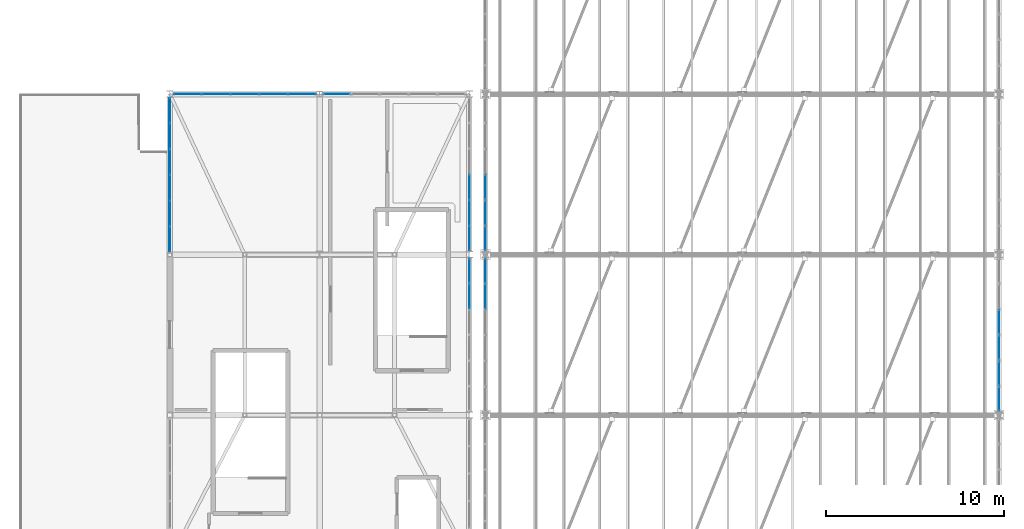
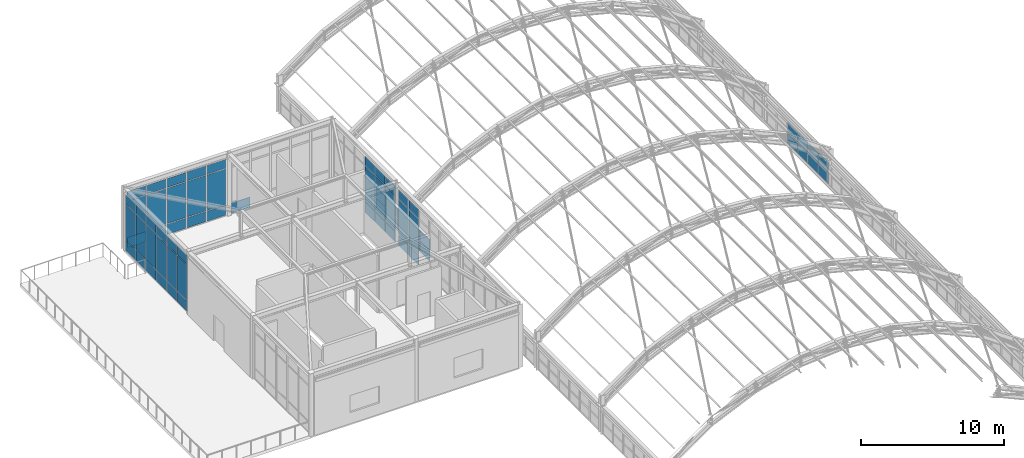
# One storey, part 101 of 121: 67 plates, 8 elements without a shape of their own.
"""IFC4 building model written with IfcOpenShell, lengths in metres."""

from ifc_helpers import new_model, si_unit, direction, frame, origin, origin_2d, place, context, subcontext, project, spatial, rectangle, extrude, material, layer, layer_set, type_object, element, aggregate, save


model = new_model("IFC4")

# Units and contexts
model_context = context("Model", 3, precision=1e-05, world=origin(), true_north=direction((0.0, 1.0)))
body_context = subcontext(model_context, "Body", "Model", "MODEL_VIEW")
ifc_project = project(units=[si_unit("LENGTHUNIT", "METRE"), si_unit("AREAUNIT", "SQUARE_METRE"), si_unit("VOLUMEUNIT", "CUBIC_METRE"), si_unit("PLANEANGLEUNIT", "RADIAN"), si_unit("MASSUNIT", "GRAM", prefix="KILO")], contexts=[model_context])

# Site, building, storey
site_placement = place(None, origin())
site = spatial("IfcSite", under=ifc_project, at=site_placement, CompositionType="ELEMENT")
building_placement = place(site_placement, origin())
building = spatial("IfcBuilding", under=site, at=building_placement, Name="Canglan Escarpment Cableway Terminal", CompositionType="ELEMENT")
storey_placement = place(building_placement, frame((0.0, 0.0, 24.60009765625)))
storey = spatial("IfcBuildingStorey", under=building, at=storey_placement, Name="L05", CompositionType="ELEMENT", Elevation=24.60009765625)

# Curtain wall, plates
ifc_material_1 = material(Name="Anodized bronze aluminium and Low-E double glazing", Category="aluminium")
curtain_wall_type_1 = type_object("IfcCurtainWallType", Name="CW-BAY-8650x1950", PredefinedType="NOTDEFINED", material=ifc_material_1)
curtain_wall_1_placement = place(storey_placement, origin())
curtain_wall_1 = element("IfcCurtainWall", 1, at=curtain_wall_1_placement, inside=storey, type_object=curtain_wall_type_1, Name="Classical bay-between-piers glazed curtain wall CW-66", PredefinedType="NOTDEFINED")
ifc_material_2 = material(Name="Double-silver Low-E laminated insulating glass", Category="glass")
ifc_layer_1 = layer(ifc_material_2, 0.02392578125, Name="Double-silver Low-E laminated insulating glass")
ifc_layer_set_1 = layer_set([ifc_layer_1], Name="Double-silver Low-E laminated insulating glass")
plate_type_1 = type_object("IfcPlateType", Name="CWP-01", PredefinedType="CURTAIN_PANEL", material=ifc_layer_set_1)
plate_1_placement = place(storey_placement, frame((166.39990234375, 97.912109375, 0.06494140625), z_axis=(0.0, 0.0, 1.0), x_axis=(0.0, 1.0, 0.0)))
plate_1 = element("IfcPlate", 2, at=plate_1_placement, type_object=plate_type_1, Name="CW-66 panel 1.1", PredefinedType="CURTAIN_PANEL", context=body_context, shape_type="SweptSolid", body=[
    extrude(rectangle(XDim=1.34423828125, YDim=0.02392578125, at=origin_2d()), origin(), (0.0, 0.0, 1.0), 0.87744140625),
])
plate_2_placement = place(storey_placement, frame((166.39990234375, 97.912109375, 1.00732421875), z_axis=(0.0, 0.0, 1.0), x_axis=(0.0, 1.0, 0.0)))
plate_2 = element("IfcPlate", 3, at=plate_2_placement, type_object=plate_type_1, Name="CW-66 panel 1.2", PredefinedType="CURTAIN_PANEL", context=body_context, shape_type="SweptSolid", body=[
    extrude(rectangle(XDim=1.34423828125, YDim=0.02392578125, at=origin_2d()), origin(), (0.0, 0.0, 1.0), 0.87744140625),
])
plate_3_placement = place(storey_placement, frame((166.39990234375, 99.33740234375, 0.06494140625), z_axis=(0.0, 0.0, 1.0), x_axis=(0.0, 1.0, 0.0)))
plate_3 = element("IfcPlate", 4, at=plate_3_placement, type_object=plate_type_1, Name="CW-66 panel 2.1", PredefinedType="CURTAIN_PANEL", context=body_context, shape_type="SweptSolid", body=[
    extrude(rectangle(XDim=1.376708984375, YDim=0.02392578125, at=origin_2d()), origin(), (0.0, 0.0, 1.0), 0.87744140625),
])
plate_4_placement = place(storey_placement, frame((166.39990234375, 99.33740234375, 1.00732421875), z_axis=(0.0, 0.0, 1.0), x_axis=(0.0, 1.0, 0.0)))
plate_4 = element("IfcPlate", 5, at=plate_4_placement, type_object=plate_type_1, Name="CW-66 panel 2.2", PredefinedType="CURTAIN_PANEL", context=body_context, shape_type="SweptSolid", body=[
    extrude(rectangle(XDim=1.376708984375, YDim=0.02392578125, at=origin_2d()), origin(), (0.0, 0.0, 1.0), 0.87744140625),
])
plate_5_placement = place(storey_placement, frame((166.39990234375, 100.779052734375, 0.06494140625), z_axis=(0.0, 0.0, 1.0), x_axis=(0.0, 1.0, 0.0)))
plate_5 = element("IfcPlate", 6, at=plate_5_placement, type_object=plate_type_1, Name="CW-66 panel 3.1", PredefinedType="CURTAIN_PANEL", context=body_context, shape_type="SweptSolid", body=[
    extrude(rectangle(XDim=1.376708984375, YDim=0.02392578125, at=origin_2d()), origin(), (0.0, 0.0, 1.0), 0.87744140625),
])
plate_6_placement = place(storey_placement, frame((166.39990234375, 100.779052734375, 1.00732421875), z_axis=(0.0, 0.0, 1.0), x_axis=(0.0, 1.0, 0.0)))
plate_6 = element("IfcPlate", 7, at=plate_6_placement, type_object=plate_type_1, Name="CW-66 panel 3.2", PredefinedType="CURTAIN_PANEL", context=body_context, shape_type="SweptSolid", body=[
    extrude(rectangle(XDim=1.376708984375, YDim=0.02392578125, at=origin_2d()), origin(), (0.0, 0.0, 1.0), 0.87744140625),
])
plate_7_placement = place(storey_placement, frame((166.39990234375, 102.220947265625, 0.06494140625), z_axis=(0.0, 0.0, 1.0), x_axis=(0.0, 1.0, 0.0)))
plate_7 = element("IfcPlate", 8, at=plate_7_placement, type_object=plate_type_1, Name="CW-66 panel 4.1", PredefinedType="CURTAIN_PANEL", context=body_context, shape_type="SweptSolid", body=[
    extrude(rectangle(XDim=1.376708984375, YDim=0.02392578125, at=origin_2d()), origin(), (0.0, 0.0, 1.0), 0.87744140625),
])
plate_8_placement = place(storey_placement, frame((166.39990234375, 102.220947265625, 1.00732421875), z_axis=(0.0, 0.0, 1.0), x_axis=(0.0, 1.0, 0.0)))
plate_8 = element("IfcPlate", 9, at=plate_8_placement, type_object=plate_type_1, Name="CW-66 panel 4.2", PredefinedType="CURTAIN_PANEL", context=body_context, shape_type="SweptSolid", body=[
    extrude(rectangle(XDim=1.376708984375, YDim=0.02392578125, at=origin_2d()), origin(), (0.0, 0.0, 1.0), 0.87744140625),
])
aggregate(curtain_wall_1, [plate_1, plate_2, plate_3, plate_4, plate_5, plate_6, plate_7, plate_8])

curtain_wall_2_placement = place(storey_placement, origin())
curtain_wall_2 = element("IfcCurtainWall", 10, at=curtain_wall_2_placement, inside=storey, type_object=curtain_wall_type_1, Name="Classical bay-between-piers glazed curtain wall CW-66", PredefinedType="NOTDEFINED")
plate_9_placement = place(storey_placement, frame((137.60009765625, 109.779052734375, 0.06494140625), z_axis=(0.0, 0.0, 1.0), x_axis=(0.0, -1.0, 0.0)))
plate_9 = element("IfcPlate", 11, at=plate_9_placement, type_object=plate_type_1, Name="CW-66 panel 4.1", PredefinedType="CURTAIN_PANEL", context=body_context, shape_type="SweptSolid", body=[
    extrude(rectangle(XDim=1.376708984375, YDim=0.02392578125, at=origin_2d()), origin(), (0.0, 0.0, 1.0), 0.87744140625),
])
plate_10_placement = place(storey_placement, frame((137.60009765625, 109.779052734375, 1.00732421875), z_axis=(0.0, 0.0, 1.0), x_axis=(0.0, -1.0, 0.0)))
plate_10 = element("IfcPlate", 12, at=plate_10_placement, type_object=plate_type_1, Name="CW-66 panel 4.2", PredefinedType="CURTAIN_PANEL", context=body_context, shape_type="SweptSolid", body=[
    extrude(rectangle(XDim=1.376708984375, YDim=0.02392578125, at=origin_2d()), origin(), (0.0, 0.0, 1.0), 0.87744140625),
])
plate_11_placement = place(storey_placement, frame((137.60009765625, 108.33740234375, 0.06494140625), z_axis=(0.0, 0.0, 1.0), x_axis=(0.0, -1.0, 0.0)))
plate_11 = element("IfcPlate", 13, at=plate_11_placement, type_object=plate_type_1, Name="CW-66 panel 5.1", PredefinedType="CURTAIN_PANEL", context=body_context, shape_type="SweptSolid", body=[
    extrude(rectangle(XDim=1.376708984375, YDim=0.02392578125, at=origin_2d()), origin(), (0.0, 0.0, 1.0), 0.87744140625),
])
plate_12_placement = place(storey_placement, frame((137.60009765625, 108.33740234375, 1.00732421875), z_axis=(0.0, 0.0, 1.0), x_axis=(0.0, -1.0, 0.0)))
plate_12 = element("IfcPlate", 14, at=plate_12_placement, type_object=plate_type_1, Name="CW-66 panel 5.2", PredefinedType="CURTAIN_PANEL", context=body_context, shape_type="SweptSolid", body=[
    extrude(rectangle(XDim=1.376708984375, YDim=0.02392578125, at=origin_2d()), origin(), (0.0, 0.0, 1.0), 0.87744140625),
])
plate_13_placement = place(storey_placement, frame((137.60009765625, 106.912109375, 0.06494140625), z_axis=(0.0, 0.0, 1.0), x_axis=(0.0, -1.0, 0.0)))
plate_13 = element("IfcPlate", 15, at=plate_13_placement, type_object=plate_type_1, Name="CW-66 panel 6.1", PredefinedType="CURTAIN_PANEL", context=body_context, shape_type="SweptSolid", body=[
    extrude(rectangle(XDim=1.34423828125, YDim=0.02392578125, at=origin_2d()), origin(), (0.0, 0.0, 1.0), 0.87744140625),
])
plate_14_placement = place(storey_placement, frame((137.60009765625, 106.912109375, 1.00732421875), z_axis=(0.0, 0.0, 1.0), x_axis=(0.0, -1.0, 0.0)))
plate_14 = element("IfcPlate", 16, at=plate_14_placement, type_object=plate_type_1, Name="CW-66 panel 6.2", PredefinedType="CURTAIN_PANEL", context=body_context, shape_type="SweptSolid", body=[
    extrude(rectangle(XDim=1.34423828125, YDim=0.02392578125, at=origin_2d()), origin(), (0.0, 0.0, 1.0), 0.87744140625),
])
aggregate(curtain_wall_2, [plate_9, plate_10, plate_11, plate_12, plate_13, plate_14])

curtain_wall_type_2 = type_object("IfcCurtainWallType", Name="CW-BAY-8075x4875", PredefinedType="NOTDEFINED", material=ifc_material_1)
curtain_wall_3_placement = place(storey_placement, origin())
curtain_wall_3 = element("IfcCurtainWall", 17, at=curtain_wall_3_placement, inside=storey, type_object=curtain_wall_type_2, Name="Classical bay-between-piers glazed curtain wall CW-59", PredefinedType="NOTDEFINED")
ifc_layer_2 = layer(ifc_material_2, 0.028076171875, Name="Double-silver Low-E laminated insulating glass")
ifc_layer_set_2 = layer_set([ifc_layer_2], Name="Double-silver Low-E laminated insulating glass")
plate_type_2 = type_object("IfcPlateType", Name="CWP-02", PredefinedType="CURTAIN_PANEL", material=ifc_layer_set_2)
plate_15_placement = place(storey_placement, frame((127.326171875, 115.0, 0.06005859375), z_axis=(0.0, 0.0, 1.0), x_axis=(-1.0, 0.0, 0.0)))
plate_15 = element("IfcPlate", 18, at=plate_15_placement, type_object=plate_type_2, Name="CW-59 panel 1.1", PredefinedType="CURTAIN_PANEL", context=body_context, shape_type="SweptSolid", body=[
    extrude(rectangle(XDim=1.517578125, YDim=0.028076171875, at=origin_2d()), origin(), (0.0, 0.0, 1.0), 0.860107421875),
])
plate_16_placement = place(storey_placement, frame((127.326171875, 115.0, 0.97998046875), z_axis=(0.0, 0.0, 1.0), x_axis=(-1.0, 0.0, 0.0)))
plate_16 = element("IfcPlate", 19, at=plate_16_placement, type_object=plate_type_2, Name="CW-59 panel 1.2", PredefinedType="CURTAIN_PANEL", context=body_context, shape_type="SweptSolid", body=[
    extrude(rectangle(XDim=1.517578125, YDim=0.028076171875, at=origin_2d()), origin(), (0.0, 0.0, 1.0), 3.02099609375),
])
plate_17_placement = place(storey_placement, frame((127.326171875, 115.0, 4.06103515625), z_axis=(0.0, 0.0, 1.0), x_axis=(-1.0, 0.0, 0.0)))
plate_17 = element("IfcPlate", 20, at=plate_17_placement, type_object=plate_type_2, Name="CW-59 panel 1.3", PredefinedType="CURTAIN_PANEL", context=body_context, shape_type="SweptSolid", body=[
    extrude(rectangle(XDim=1.517578125, YDim=0.028076171875, at=origin_2d()), origin(), (0.0, 0.0, 1.0), 0.760009765625),
])
plate_18_placement = place(storey_placement, frame((125.7275390625, 115.0, 0.06005859375), z_axis=(0.0, 0.0, 1.0), x_axis=(-1.0, 0.0, 0.0)))
plate_18 = element("IfcPlate", 21, at=plate_18_placement, type_object=plate_type_2, Name="CW-59 panel 2.1", PredefinedType="CURTAIN_PANEL", context=body_context, shape_type="SweptSolid", body=[
    extrude(rectangle(XDim=1.550048828125, YDim=0.028076171875, at=origin_2d()), origin(), (0.0, 0.0, 1.0), 0.860107421875),
])
plate_19_placement = place(storey_placement, frame((125.7275390625, 115.0, 0.97998046875), z_axis=(0.0, 0.0, 1.0), x_axis=(-1.0, 0.0, 0.0)))
plate_19 = element("IfcPlate", 22, at=plate_19_placement, type_object=plate_type_2, Name="CW-59 panel 2.2", PredefinedType="CURTAIN_PANEL", context=body_context, shape_type="SweptSolid", body=[
    extrude(rectangle(XDim=1.550048828125, YDim=0.028076171875, at=origin_2d()), origin(), (0.0, 0.0, 1.0), 3.02099609375),
])
plate_20_placement = place(storey_placement, frame((125.7275390625, 115.0, 4.06103515625), z_axis=(0.0, 0.0, 1.0), x_axis=(-1.0, 0.0, 0.0)))
plate_20 = element("IfcPlate", 23, at=plate_20_placement, type_object=plate_type_2, Name="CW-59 panel 2.3", PredefinedType="CURTAIN_PANEL", context=body_context, shape_type="SweptSolid", body=[
    extrude(rectangle(XDim=1.550048828125, YDim=0.028076171875, at=origin_2d()), origin(), (0.0, 0.0, 1.0), 0.760009765625),
])
plate_21_placement = place(storey_placement, frame((124.112548828125, 115.0, 0.06005859375), z_axis=(0.0, 0.0, 1.0), x_axis=(-1.0, 0.0, 0.0)))
plate_21 = element("IfcPlate", 24, at=plate_21_placement, type_object=plate_type_2, Name="CW-59 panel 3.1", PredefinedType="CURTAIN_PANEL", context=body_context, shape_type="SweptSolid", body=[
    extrude(rectangle(XDim=1.550048828125, YDim=0.028076171875, at=origin_2d()), origin(), (0.0, 0.0, 1.0), 0.860107421875),
])
plate_22_placement = place(storey_placement, frame((124.112548828125, 115.0, 0.97998046875), z_axis=(0.0, 0.0, 1.0), x_axis=(-1.0, 0.0, 0.0)))
plate_22 = element("IfcPlate", 25, at=plate_22_placement, type_object=plate_type_2, Name="CW-59 panel 3.2", PredefinedType="CURTAIN_PANEL", context=body_context, shape_type="SweptSolid", body=[
    extrude(rectangle(XDim=1.550048828125, YDim=0.028076171875, at=origin_2d()), origin(), (0.0, 0.0, 1.0), 3.02099609375),
])
plate_23_placement = place(storey_placement, frame((124.112548828125, 115.0, 4.06103515625), z_axis=(0.0, 0.0, 1.0), x_axis=(-1.0, 0.0, 0.0)))
plate_23 = element("IfcPlate", 26, at=plate_23_placement, type_object=plate_type_2, Name="CW-59 panel 3.3", PredefinedType="CURTAIN_PANEL", context=body_context, shape_type="SweptSolid", body=[
    extrude(rectangle(XDim=1.550048828125, YDim=0.028076171875, at=origin_2d()), origin(), (0.0, 0.0, 1.0), 0.760009765625),
])
plate_24_placement = place(storey_placement, frame((122.49755859375, 115.0, 0.06005859375), z_axis=(0.0, 0.0, 1.0), x_axis=(-1.0, 0.0, 0.0)))
plate_24 = element("IfcPlate", 27, at=plate_24_placement, type_object=plate_type_2, Name="CW-59 panel 4.1", PredefinedType="CURTAIN_PANEL", context=body_context, shape_type="SweptSolid", body=[
    extrude(rectangle(XDim=1.550048828125, YDim=0.028076171875, at=origin_2d()), origin(), (0.0, 0.0, 1.0), 0.860107421875),
])
plate_25_placement = place(storey_placement, frame((122.49755859375, 115.0, 0.97998046875), z_axis=(0.0, 0.0, 1.0), x_axis=(-1.0, 0.0, 0.0)))
plate_25 = element("IfcPlate", 28, at=plate_25_placement, type_object=plate_type_2, Name="CW-59 panel 4.2", PredefinedType="CURTAIN_PANEL", context=body_context, shape_type="SweptSolid", body=[
    extrude(rectangle(XDim=1.550048828125, YDim=0.028076171875, at=origin_2d()), origin(), (0.0, 0.0, 1.0), 3.02099609375),
])
plate_26_placement = place(storey_placement, frame((122.49755859375, 115.0, 4.06103515625), z_axis=(0.0, 0.0, 1.0), x_axis=(-1.0, 0.0, 0.0)))
plate_26 = element("IfcPlate", 29, at=plate_26_placement, type_object=plate_type_2, Name="CW-59 panel 4.3", PredefinedType="CURTAIN_PANEL", context=body_context, shape_type="SweptSolid", body=[
    extrude(rectangle(XDim=1.550048828125, YDim=0.028076171875, at=origin_2d()), origin(), (0.0, 0.0, 1.0), 0.760009765625),
])
plate_27_placement = place(storey_placement, frame((120.898681640625, 115.0, 0.06005859375), z_axis=(0.0, 0.0, 1.0), x_axis=(-1.0, 0.0, 0.0)))
plate_27 = element("IfcPlate", 30, at=plate_27_placement, type_object=plate_type_2, Name="CW-59 panel 5.1", PredefinedType="CURTAIN_PANEL", context=body_context, shape_type="SweptSolid", body=[
    extrude(rectangle(XDim=1.517578125, YDim=0.028076171875, at=origin_2d()), origin(), (0.0, 0.0, 1.0), 0.860107421875),
])
plate_28_placement = place(storey_placement, frame((120.898681640625, 115.0, 0.97998046875), z_axis=(0.0, 0.0, 1.0), x_axis=(-1.0, 0.0, 0.0)))
plate_28 = element("IfcPlate", 31, at=plate_28_placement, type_object=plate_type_2, Name="CW-59 panel 5.2", PredefinedType="CURTAIN_PANEL", context=body_context, shape_type="SweptSolid", body=[
    extrude(rectangle(XDim=1.517578125, YDim=0.028076171875, at=origin_2d()), origin(), (0.0, 0.0, 1.0), 3.02099609375),
])
plate_29_placement = place(storey_placement, frame((120.898681640625, 115.0, 4.06103515625), z_axis=(0.0, 0.0, 1.0), x_axis=(-1.0, 0.0, 0.0)))
plate_29 = element("IfcPlate", 32, at=plate_29_placement, type_object=plate_type_2, Name="CW-59 panel 5.3", PredefinedType="CURTAIN_PANEL", context=body_context, shape_type="SweptSolid", body=[
    extrude(rectangle(XDim=1.517578125, YDim=0.028076171875, at=origin_2d()), origin(), (0.0, 0.0, 1.0), 0.760009765625),
])
aggregate(curtain_wall_3, [plate_15, plate_16, plate_17, plate_18, plate_19, plate_20, plate_21, plate_22, plate_23, plate_24, plate_25, plate_26, plate_27, plate_28, plate_29])

curtain_wall_type_3 = type_object("IfcCurtainWallType", Name="CW-BAY-8650x4875", PredefinedType="NOTDEFINED", material=ifc_material_1)
curtain_wall_4_placement = place(storey_placement, origin())
curtain_wall_4 = element("IfcCurtainWall", 33, at=curtain_wall_4_placement, inside=storey, type_object=curtain_wall_type_3, Name="Classical bay-between-piers glazed curtain wall CW-58", PredefinedType="NOTDEFINED")
ifc_layer_3 = layer(ifc_material_2, 0.031982421875, Name="Double-silver Low-E laminated insulating glass")
ifc_layer_set_3 = layer_set([ifc_layer_3], Name="Double-silver Low-E laminated insulating glass")
plate_type_3 = type_object("IfcPlateType", Name="CWP-03", PredefinedType="CURTAIN_PANEL", material=ifc_layer_set_3)
plate_30_placement = place(storey_placement, frame((136.699951171875, 103.66259765625, 0.06494140625), z_axis=(0.0, 0.0, 1.0), x_axis=(0.0, 1.0, 0.0)))
plate_30 = element("IfcPlate", 34, at=plate_30_placement, type_object=plate_type_3, Name="CW-58 panel 5.1", PredefinedType="CURTAIN_PANEL", context=body_context, shape_type="SweptSolid", body=[
    extrude(rectangle(XDim=1.376708984375, YDim=0.031982421875, at=origin_2d()), origin(), (0.0, 0.0, 1.0), 0.8525390625),
])
plate_31_placement = place(storey_placement, frame((136.699951171875, 103.66259765625, 0.982421875), z_axis=(0.0, 0.0, 1.0), x_axis=(0.0, 1.0, 0.0)))
plate_31 = element("IfcPlate", 35, at=plate_31_placement, type_object=plate_type_3, Name="CW-58 panel 5.2", PredefinedType="CURTAIN_PANEL", context=body_context, shape_type="SweptSolid", body=[
    extrude(rectangle(XDim=1.376708984375, YDim=0.031982421875, at=origin_2d()), origin(), (0.0, 0.0, 1.0), 3.01611328125),
])
plate_32_placement = place(storey_placement, frame((136.699951171875, 103.66259765625, 4.0634765625), z_axis=(0.0, 0.0, 1.0), x_axis=(0.0, 1.0, 0.0)))
plate_32 = element("IfcPlate", 36, at=plate_32_placement, type_object=plate_type_3, Name="CW-58 panel 5.3", PredefinedType="CURTAIN_PANEL", context=body_context, shape_type="SweptSolid", body=[
    extrude(rectangle(XDim=1.376708984375, YDim=0.031982421875, at=origin_2d()), origin(), (0.0, 0.0, 1.0), 0.75244140625),
])
plate_33_placement = place(storey_placement, frame((136.699951171875, 105.087890625, 0.06494140625), z_axis=(0.0, 0.0, 1.0), x_axis=(0.0, 1.0, 0.0)))
plate_33 = element("IfcPlate", 37, at=plate_33_placement, type_object=plate_type_3, Name="CW-58 panel 6.1", PredefinedType="CURTAIN_PANEL", context=body_context, shape_type="SweptSolid", body=[
    extrude(rectangle(XDim=1.34423828125, YDim=0.031982421875, at=origin_2d()), origin(), (0.0, 0.0, 1.0), 0.8525390625),
])
plate_34_placement = place(storey_placement, frame((136.699951171875, 105.087890625, 0.982421875), z_axis=(0.0, 0.0, 1.0), x_axis=(0.0, 1.0, 0.0)))
plate_34 = element("IfcPlate", 38, at=plate_34_placement, type_object=plate_type_3, Name="CW-58 panel 6.2", PredefinedType="CURTAIN_PANEL", context=body_context, shape_type="SweptSolid", body=[
    extrude(rectangle(XDim=1.34423828125, YDim=0.031982421875, at=origin_2d()), origin(), (0.0, 0.0, 1.0), 3.01611328125),
])
plate_35_placement = place(storey_placement, frame((136.699951171875, 105.087890625, 4.0634765625), z_axis=(0.0, 0.0, 1.0), x_axis=(0.0, 1.0, 0.0)))
plate_35 = element("IfcPlate", 39, at=plate_35_placement, type_object=plate_type_3, Name="CW-58 panel 6.3", PredefinedType="CURTAIN_PANEL", context=body_context, shape_type="SweptSolid", body=[
    extrude(rectangle(XDim=1.34423828125, YDim=0.031982421875, at=origin_2d()), origin(), (0.0, 0.0, 1.0), 0.75244140625),
])
aggregate(curtain_wall_4, [plate_30, plate_31, plate_32, plate_33, plate_34, plate_35])

# Curtain wall, plate
curtain_wall_5_placement = place(storey_placement, origin())
curtain_wall_5 = element("IfcCurtainWall", 40, at=curtain_wall_5_placement, inside=storey, type_object=curtain_wall_type_2, Name="Classical bay-between-piers glazed curtain wall CW-59", PredefinedType="NOTDEFINED")
plate_36_placement = place(storey_placement, frame((129.273681640625, 115.0, 0.06494140625), z_axis=(0.0, 0.0, 1.0), x_axis=(-1.0, 0.0, 0.0)))
plate_36 = element("IfcPlate", 41, at=plate_36_placement, type_object=plate_type_3, Name="CW-59 panel 5.1", PredefinedType="CURTAIN_PANEL", context=body_context, shape_type="SweptSolid", body=[
    extrude(rectangle(XDim=1.517578125, YDim=0.031982421875, at=origin_2d()), origin(), (0.0, 0.0, 1.0), 0.8525390625),
])
aggregate(curtain_wall_5, [plate_36])

# Curtain wall, plates
curtain_wall_6_placement = place(storey_placement, origin())
curtain_wall_6 = element("IfcCurtainWall", 42, at=curtain_wall_6_placement, inside=storey, type_object=curtain_wall_type_3, Name="Classical bay-between-piers glazed curtain wall CW-58", PredefinedType="NOTDEFINED")
ifc_layer_4 = layer(ifc_material_2, 0.035888671875, Name="Double-silver Low-E laminated insulating glass")
ifc_layer_set_4 = layer_set([ifc_layer_4], Name="Double-silver Low-E laminated insulating glass")
plate_type_4 = type_object("IfcPlateType", Name="CWP-04", PredefinedType="CURTAIN_PANEL", material=ifc_layer_set_4)
plate_37_placement = place(storey_placement, frame((136.699951171875, 106.910888671875, 0.05517578125), z_axis=(0.0, 0.0, 1.0), x_axis=(0.0, 1.0, 0.0)))
plate_37 = element("IfcPlate", 43, at=plate_37_placement, type_object=plate_type_4, Name="CW-58 panel 1.1", PredefinedType="CURTAIN_PANEL", context=body_context, shape_type="SweptSolid", body=[
    extrude(rectangle(XDim=1.3515625, YDim=0.035888671875, at=origin_2d()), origin(), (0.0, 0.0, 1.0), 0.867431640625),
])
plate_38_placement = place(storey_placement, frame((136.699951171875, 106.910888671875, 0.9775390625), z_axis=(0.0, 0.0, 1.0), x_axis=(0.0, 1.0, 0.0)))
plate_38 = element("IfcPlate", 44, at=plate_38_placement, type_object=plate_type_4, Name="CW-58 panel 1.2", PredefinedType="CURTAIN_PANEL", context=body_context, shape_type="SweptSolid", body=[
    extrude(rectangle(XDim=1.3515625, YDim=0.035888671875, at=origin_2d()), origin(), (0.0, 0.0, 1.0), 3.02587890625),
])
plate_39_placement = place(storey_placement, frame((136.699951171875, 106.910888671875, 4.058349609375), z_axis=(0.0, 0.0, 1.0), x_axis=(0.0, 1.0, 0.0)))
plate_39 = element("IfcPlate", 45, at=plate_39_placement, type_object=plate_type_4, Name="CW-58 panel 1.3", PredefinedType="CURTAIN_PANEL", context=body_context, shape_type="SweptSolid", body=[
    extrude(rectangle(XDim=1.3515625, YDim=0.035888671875, at=origin_2d()), origin(), (0.0, 0.0, 1.0), 0.767578125),
])
plate_40_placement = place(storey_placement, frame((136.699951171875, 108.33740234375, 0.05517578125), z_axis=(0.0, 0.0, 1.0), x_axis=(0.0, 1.0, 0.0)))
plate_40 = element("IfcPlate", 46, at=plate_40_placement, type_object=plate_type_4, Name="CW-58 panel 2.1", PredefinedType="CURTAIN_PANEL", context=body_context, shape_type="SweptSolid", body=[
    extrude(rectangle(XDim=1.381591796875, YDim=0.035888671875, at=origin_2d()), origin(), (0.0, 0.0, 1.0), 0.867431640625),
])
plate_41_placement = place(storey_placement, frame((136.699951171875, 108.33740234375, 0.9775390625), z_axis=(0.0, 0.0, 1.0), x_axis=(0.0, 1.0, 0.0)))
plate_41 = element("IfcPlate", 47, at=plate_41_placement, type_object=plate_type_4, Name="CW-58 panel 2.2", PredefinedType="CURTAIN_PANEL", context=body_context, shape_type="SweptSolid", body=[
    extrude(rectangle(XDim=1.381591796875, YDim=0.035888671875, at=origin_2d()), origin(), (0.0, 0.0, 1.0), 3.02587890625),
])
plate_42_placement = place(storey_placement, frame((136.699951171875, 108.33740234375, 4.058349609375), z_axis=(0.0, 0.0, 1.0), x_axis=(0.0, 1.0, 0.0)))
plate_42 = element("IfcPlate", 48, at=plate_42_placement, type_object=plate_type_4, Name="CW-58 panel 2.3", PredefinedType="CURTAIN_PANEL", context=body_context, shape_type="SweptSolid", body=[
    extrude(rectangle(XDim=1.381591796875, YDim=0.035888671875, at=origin_2d()), origin(), (0.0, 0.0, 1.0), 0.767578125),
])
plate_43_placement = place(storey_placement, frame((136.699951171875, 109.779052734375, 0.05517578125), z_axis=(0.0, 0.0, 1.0), x_axis=(0.0, 1.0, 0.0)))
plate_43 = element("IfcPlate", 49, at=plate_43_placement, type_object=plate_type_4, Name="CW-58 panel 3.1", PredefinedType="CURTAIN_PANEL", context=body_context, shape_type="SweptSolid", body=[
    extrude(rectangle(XDim=1.381591796875, YDim=0.035888671875, at=origin_2d()), origin(), (0.0, 0.0, 1.0), 0.867431640625),
])
plate_44_placement = place(storey_placement, frame((136.699951171875, 109.779052734375, 0.9775390625), z_axis=(0.0, 0.0, 1.0), x_axis=(0.0, 1.0, 0.0)))
plate_44 = element("IfcPlate", 50, at=plate_44_placement, type_object=plate_type_4, Name="CW-58 panel 3.2", PredefinedType="CURTAIN_PANEL", context=body_context, shape_type="SweptSolid", body=[
    extrude(rectangle(XDim=1.381591796875, YDim=0.035888671875, at=origin_2d()), origin(), (0.0, 0.0, 1.0), 3.02587890625),
])
plate_45_placement = place(storey_placement, frame((136.699951171875, 109.779052734375, 4.058349609375), z_axis=(0.0, 0.0, 1.0), x_axis=(0.0, 1.0, 0.0)))
plate_45 = element("IfcPlate", 51, at=plate_45_placement, type_object=plate_type_4, Name="CW-58 panel 3.3", PredefinedType="CURTAIN_PANEL", context=body_context, shape_type="SweptSolid", body=[
    extrude(rectangle(XDim=1.381591796875, YDim=0.035888671875, at=origin_2d()), origin(), (0.0, 0.0, 1.0), 0.767578125),
])
aggregate(curtain_wall_6, [plate_37, plate_38, plate_39, plate_40, plate_41, plate_42, plate_43, plate_44, plate_45])

curtain_wall_type_4 = type_object("IfcCurtainWallType", Name="CW-BAY-8700x4875", PredefinedType="NOTDEFINED", material=ifc_material_1)
curtain_wall_7_placement = place(storey_placement, origin())
curtain_wall_7 = element("IfcCurtainWall", 52, at=curtain_wall_7_placement, inside=storey, type_object=curtain_wall_type_4, Name="Classical bay-between-piers glazed curtain wall CW-61", PredefinedType="NOTDEFINED")
plate_46_placement = place(storey_placement, frame((119.89990234375, 114.0849609375, 0.05517578125), z_axis=(0.0, 0.0, 1.0), x_axis=(0.0, -1.0, 0.0)))
plate_46 = element("IfcPlate", 53, at=plate_46_placement, type_object=plate_type_4, Name="CW-61 panel 1.1", PredefinedType="CURTAIN_PANEL", context=body_context, shape_type="SweptSolid", body=[
    extrude(rectangle(XDim=1.360107421875, YDim=0.035888671875, at=origin_2d()), origin(), (0.0, 0.0, 1.0), 0.867431640625),
])
plate_47_placement = place(storey_placement, frame((119.89990234375, 114.0849609375, 0.9775390625), z_axis=(0.0, 0.0, 1.0), x_axis=(0.0, -1.0, 0.0)))
plate_47 = element("IfcPlate", 54, at=plate_47_placement, type_object=plate_type_4, Name="CW-61 panel 1.2", PredefinedType="CURTAIN_PANEL", context=body_context, shape_type="SweptSolid", body=[
    extrude(rectangle(XDim=1.360107421875, YDim=0.035888671875, at=origin_2d()), origin(), (0.0, 0.0, 1.0), 3.02587890625),
])
plate_48_placement = place(storey_placement, frame((119.89990234375, 114.0849609375, 4.058349609375), z_axis=(0.0, 0.0, 1.0), x_axis=(0.0, -1.0, 0.0)))
plate_48 = element("IfcPlate", 55, at=plate_48_placement, type_object=plate_type_4, Name="CW-61 panel 1.3", PredefinedType="CURTAIN_PANEL", context=body_context, shape_type="SweptSolid", body=[
    extrude(rectangle(XDim=1.360107421875, YDim=0.035888671875, at=origin_2d()), origin(), (0.0, 0.0, 1.0), 0.767578125),
])
plate_49_placement = place(storey_placement, frame((119.89990234375, 112.64990234375, 0.05517578125), z_axis=(0.0, 0.0, 1.0), x_axis=(0.0, -1.0, 0.0)))
plate_49 = element("IfcPlate", 56, at=plate_49_placement, type_object=plate_type_4, Name="CW-61 panel 2.1", PredefinedType="CURTAIN_PANEL", context=body_context, shape_type="SweptSolid", body=[
    extrude(rectangle(XDim=1.389892578125, YDim=0.035888671875, at=origin_2d()), origin(), (0.0, 0.0, 1.0), 0.867431640625),
])
plate_50_placement = place(storey_placement, frame((119.89990234375, 112.64990234375, 0.9775390625), z_axis=(0.0, 0.0, 1.0), x_axis=(0.0, -1.0, 0.0)))
plate_50 = element("IfcPlate", 57, at=plate_50_placement, type_object=plate_type_4, Name="CW-61 panel 2.2", PredefinedType="CURTAIN_PANEL", context=body_context, shape_type="SweptSolid", body=[
    extrude(rectangle(XDim=1.389892578125, YDim=0.035888671875, at=origin_2d()), origin(), (0.0, 0.0, 1.0), 3.02587890625),
])
plate_51_placement = place(storey_placement, frame((119.89990234375, 112.64990234375, 4.058349609375), z_axis=(0.0, 0.0, 1.0), x_axis=(0.0, -1.0, 0.0)))
plate_51 = element("IfcPlate", 58, at=plate_51_placement, type_object=plate_type_4, Name="CW-61 panel 2.3", PredefinedType="CURTAIN_PANEL", context=body_context, shape_type="SweptSolid", body=[
    extrude(rectangle(XDim=1.389892578125, YDim=0.035888671875, at=origin_2d()), origin(), (0.0, 0.0, 1.0), 0.767578125),
])
plate_52_placement = place(storey_placement, frame((119.89990234375, 111.199951171875, 0.05517578125), z_axis=(0.0, 0.0, 1.0), x_axis=(0.0, -1.0, 0.0)))
plate_52 = element("IfcPlate", 59, at=plate_52_placement, type_object=plate_type_4, Name="CW-61 panel 3.1", PredefinedType="CURTAIN_PANEL", context=body_context, shape_type="SweptSolid", body=[
    extrude(rectangle(XDim=1.389892578125, YDim=0.035888671875, at=origin_2d()), origin(), (0.0, 0.0, 1.0), 0.867431640625),
])
plate_53_placement = place(storey_placement, frame((119.89990234375, 111.199951171875, 0.9775390625), z_axis=(0.0, 0.0, 1.0), x_axis=(0.0, -1.0, 0.0)))
plate_53 = element("IfcPlate", 60, at=plate_53_placement, type_object=plate_type_4, Name="CW-61 panel 3.2", PredefinedType="CURTAIN_PANEL", context=body_context, shape_type="SweptSolid", body=[
    extrude(rectangle(XDim=1.389892578125, YDim=0.035888671875, at=origin_2d()), origin(), (0.0, 0.0, 1.0), 3.02587890625),
])
plate_54_placement = place(storey_placement, frame((119.89990234375, 111.199951171875, 4.058349609375), z_axis=(0.0, 0.0, 1.0), x_axis=(0.0, -1.0, 0.0)))
plate_54 = element("IfcPlate", 61, at=plate_54_placement, type_object=plate_type_4, Name="CW-61 panel 3.3", PredefinedType="CURTAIN_PANEL", context=body_context, shape_type="SweptSolid", body=[
    extrude(rectangle(XDim=1.389892578125, YDim=0.035888671875, at=origin_2d()), origin(), (0.0, 0.0, 1.0), 0.767578125),
])
plate_55_placement = place(storey_placement, frame((119.89990234375, 109.75, 0.05517578125), z_axis=(0.0, 0.0, 1.0), x_axis=(0.0, -1.0, 0.0)))
plate_55 = element("IfcPlate", 62, at=plate_55_placement, type_object=plate_type_4, Name="CW-61 panel 4.1", PredefinedType="CURTAIN_PANEL", context=body_context, shape_type="SweptSolid", body=[
    extrude(rectangle(XDim=1.389892578125, YDim=0.035888671875, at=origin_2d()), origin(), (0.0, 0.0, 1.0), 0.867431640625),
])
plate_56_placement = place(storey_placement, frame((119.89990234375, 109.75, 0.9775390625), z_axis=(0.0, 0.0, 1.0), x_axis=(0.0, -1.0, 0.0)))
plate_56 = element("IfcPlate", 63, at=plate_56_placement, type_object=plate_type_4, Name="CW-61 panel 4.2", PredefinedType="CURTAIN_PANEL", context=body_context, shape_type="SweptSolid", body=[
    extrude(rectangle(XDim=1.389892578125, YDim=0.035888671875, at=origin_2d()), origin(), (0.0, 0.0, 1.0), 3.02587890625),
])
plate_57_placement = place(storey_placement, frame((119.89990234375, 109.75, 4.058349609375), z_axis=(0.0, 0.0, 1.0), x_axis=(0.0, -1.0, 0.0)))
plate_57 = element("IfcPlate", 64, at=plate_57_placement, type_object=plate_type_4, Name="CW-61 panel 4.3", PredefinedType="CURTAIN_PANEL", context=body_context, shape_type="SweptSolid", body=[
    extrude(rectangle(XDim=1.389892578125, YDim=0.035888671875, at=origin_2d()), origin(), (0.0, 0.0, 1.0), 0.767578125),
])
plate_58_placement = place(storey_placement, frame((119.89990234375, 108.300048828125, 0.05517578125), z_axis=(0.0, 0.0, 1.0), x_axis=(0.0, -1.0, 0.0)))
plate_58 = element("IfcPlate", 65, at=plate_58_placement, type_object=plate_type_4, Name="CW-61 panel 5.1", PredefinedType="CURTAIN_PANEL", context=body_context, shape_type="SweptSolid", body=[
    extrude(rectangle(XDim=1.389892578125, YDim=0.035888671875, at=origin_2d()), origin(), (0.0, 0.0, 1.0), 0.867431640625),
])
plate_59_placement = place(storey_placement, frame((119.89990234375, 108.300048828125, 0.9775390625), z_axis=(0.0, 0.0, 1.0), x_axis=(0.0, -1.0, 0.0)))
plate_59 = element("IfcPlate", 66, at=plate_59_placement, type_object=plate_type_4, Name="CW-61 panel 5.2", PredefinedType="CURTAIN_PANEL", context=body_context, shape_type="SweptSolid", body=[
    extrude(rectangle(XDim=1.389892578125, YDim=0.035888671875, at=origin_2d()), origin(), (0.0, 0.0, 1.0), 3.02587890625),
])
plate_60_placement = place(storey_placement, frame((119.89990234375, 108.300048828125, 4.058349609375), z_axis=(0.0, 0.0, 1.0), x_axis=(0.0, -1.0, 0.0)))
plate_60 = element("IfcPlate", 67, at=plate_60_placement, type_object=plate_type_4, Name="CW-61 panel 5.3", PredefinedType="CURTAIN_PANEL", context=body_context, shape_type="SweptSolid", body=[
    extrude(rectangle(XDim=1.389892578125, YDim=0.035888671875, at=origin_2d()), origin(), (0.0, 0.0, 1.0), 0.767578125),
])
plate_61_placement = place(storey_placement, frame((119.89990234375, 106.864990234375, 0.05517578125), z_axis=(0.0, 0.0, 1.0), x_axis=(0.0, -1.0, 0.0)))
plate_61 = element("IfcPlate", 68, at=plate_61_placement, type_object=plate_type_4, Name="CW-61 panel 6.1", PredefinedType="CURTAIN_PANEL", context=body_context, shape_type="SweptSolid", body=[
    extrude(rectangle(XDim=1.360107421875, YDim=0.035888671875, at=origin_2d()), origin(), (0.0, 0.0, 1.0), 0.867431640625),
])
plate_62_placement = place(storey_placement, frame((119.89990234375, 106.864990234375, 0.9775390625), z_axis=(0.0, 0.0, 1.0), x_axis=(0.0, -1.0, 0.0)))
plate_62 = element("IfcPlate", 69, at=plate_62_placement, type_object=plate_type_4, Name="CW-61 panel 6.2", PredefinedType="CURTAIN_PANEL", context=body_context, shape_type="SweptSolid", body=[
    extrude(rectangle(XDim=1.360107421875, YDim=0.035888671875, at=origin_2d()), origin(), (0.0, 0.0, 1.0), 3.02587890625),
])
plate_63_placement = place(storey_placement, frame((119.89990234375, 106.864990234375, 4.058349609375), z_axis=(0.0, 0.0, 1.0), x_axis=(0.0, -1.0, 0.0)))
plate_63 = element("IfcPlate", 70, at=plate_63_placement, type_object=plate_type_4, Name="CW-61 panel 6.3", PredefinedType="CURTAIN_PANEL", context=body_context, shape_type="SweptSolid", body=[
    extrude(rectangle(XDim=1.360107421875, YDim=0.035888671875, at=origin_2d()), origin(), (0.0, 0.0, 1.0), 0.767578125),
])
aggregate(curtain_wall_7, [plate_46, plate_47, plate_48, plate_49, plate_50, plate_51, plate_52, plate_53, plate_54, plate_55, plate_56, plate_57, plate_58, plate_59, plate_60, plate_61, plate_62, plate_63])

curtain_wall_8_placement = place(storey_placement, origin())
curtain_wall_8 = element("IfcCurtainWall", 71, at=curtain_wall_8_placement, inside=storey, type_object=curtain_wall_type_1, Name="Classical bay-between-piers glazed curtain wall CW-66", PredefinedType="NOTDEFINED")
plate_64_placement = place(storey_placement, frame((137.60009765625, 105.087890625, 0.06005859375), z_axis=(0.0, 0.0, 1.0), x_axis=(0.0, -1.0, 0.0)))
plate_64 = element("IfcPlate", 72, at=plate_64_placement, type_object=plate_type_4, Name="CW-66 panel 1.1", PredefinedType="CURTAIN_PANEL", context=body_context, shape_type="SweptSolid", body=[
    extrude(rectangle(XDim=1.34423828125, YDim=0.035888671875, at=origin_2d()), origin(), (0.0, 0.0, 1.0), 0.885009765625),
])
plate_65_placement = place(storey_placement, frame((137.60009765625, 105.087890625, 1.0048828125), z_axis=(0.0, 0.0, 1.0), x_axis=(0.0, -1.0, 0.0)))
plate_65 = element("IfcPlate", 73, at=plate_65_placement, type_object=plate_type_4, Name="CW-66 panel 1.2", PredefinedType="CURTAIN_PANEL", context=body_context, shape_type="SweptSolid", body=[
    extrude(rectangle(XDim=1.34423828125, YDim=0.035888671875, at=origin_2d()), origin(), (0.0, 0.0, 1.0), 0.885009765625),
])
plate_66_placement = place(storey_placement, frame((137.60009765625, 103.66259765625, 0.06005859375), z_axis=(0.0, 0.0, 1.0), x_axis=(0.0, -1.0, 0.0)))
plate_66 = element("IfcPlate", 74, at=plate_66_placement, type_object=plate_type_4, Name="CW-66 panel 2.1", PredefinedType="CURTAIN_PANEL", context=body_context, shape_type="SweptSolid", body=[
    extrude(rectangle(XDim=1.376708984375, YDim=0.035888671875, at=origin_2d()), origin(), (0.0, 0.0, 1.0), 0.885009765625),
])
plate_67_placement = place(storey_placement, frame((137.60009765625, 103.66259765625, 1.0048828125), z_axis=(0.0, 0.0, 1.0), x_axis=(0.0, -1.0, 0.0)))
plate_67 = element("IfcPlate", 75, at=plate_67_placement, type_object=plate_type_4, Name="CW-66 panel 2.2", PredefinedType="CURTAIN_PANEL", context=body_context, shape_type="SweptSolid", body=[
    extrude(rectangle(XDim=1.376708984375, YDim=0.035888671875, at=origin_2d()), origin(), (0.0, 0.0, 1.0), 0.885009765625),
])
aggregate(curtain_wall_8, [plate_64, plate_65, plate_66, plate_67])

save(model, "model.ifc")
